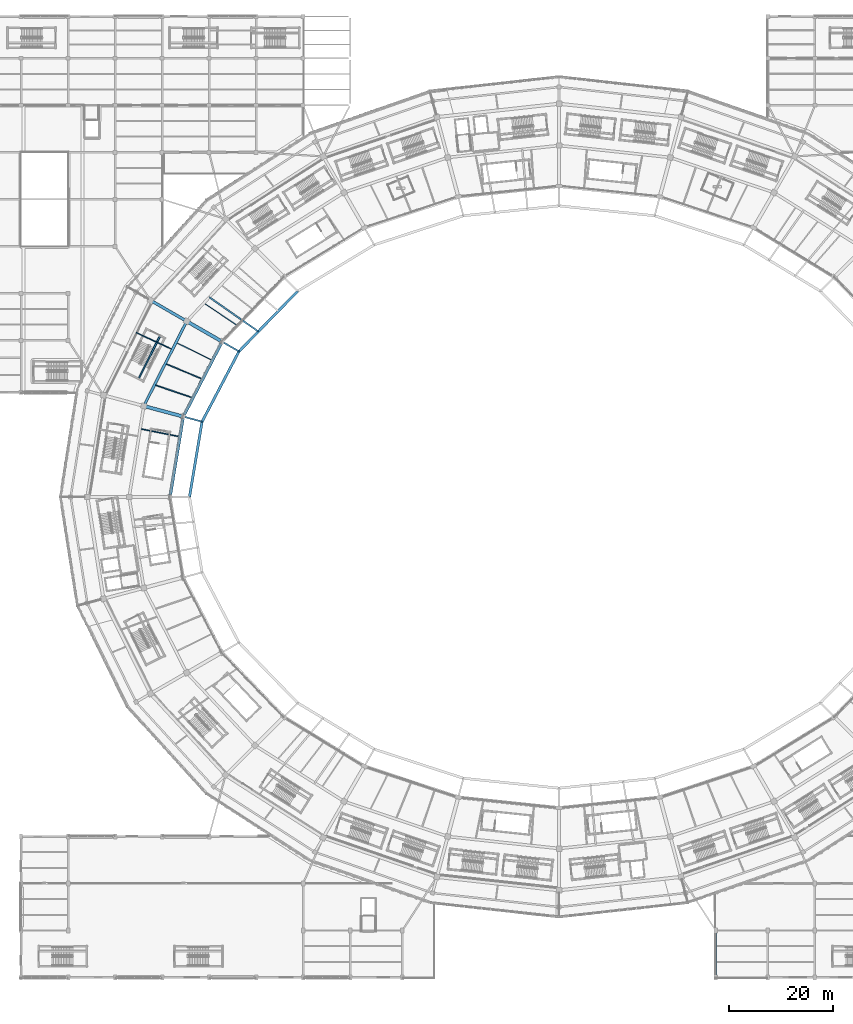
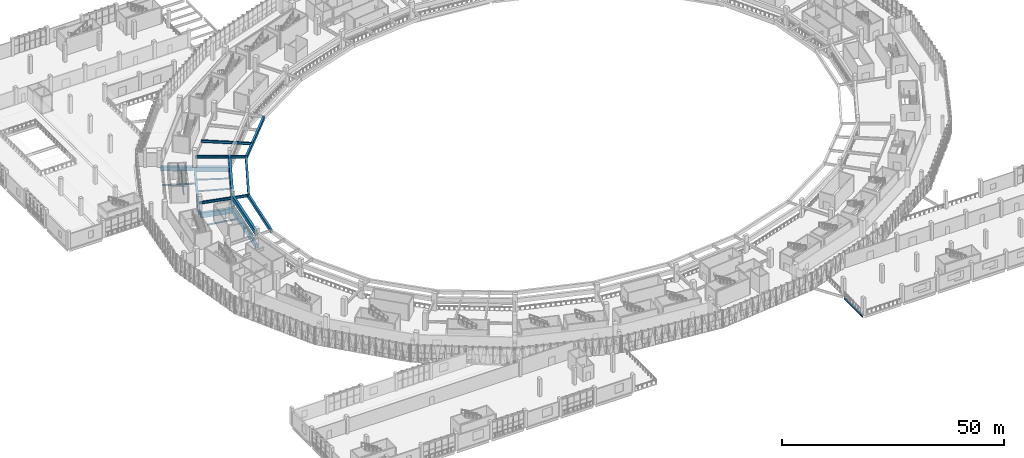
# One storey, part 25 of 179: 22 beams.
"""IFC4 building model written with IfcOpenShell, lengths in metres."""

from ifc_helpers import new_model, si_unit, direction, frame, origin, origin_2d, place, context, subcontext, project, spatial, rectangle, i_section, extrude, material, material_profile, profile_set, type_object, element, save


model = new_model("IFC4")

# Units and contexts
model_context = context("Model", 3, precision=1e-05, world=origin(), true_north=direction((0.0, 1.0)))
body_context = subcontext(model_context, "Body", "Model", "MODEL_VIEW")
ifc_project = project(units=[si_unit("LENGTHUNIT", "METRE"), si_unit("AREAUNIT", "SQUARE_METRE"), si_unit("VOLUMEUNIT", "CUBIC_METRE"), si_unit("PLANEANGLEUNIT", "RADIAN"), si_unit("MASSUNIT", "GRAM", prefix="KILO")], contexts=[model_context])

# Site, building, storey
site_placement = place(None, origin())
site = spatial("IfcSite", under=ifc_project, at=site_placement, CompositionType="ELEMENT")
building_placement = place(site_placement, origin())
building = spatial("IfcBuilding", under=site, at=building_placement, Name="Zevraka Park Crest Stadium", CompositionType="ELEMENT")
storey_placement = place(building_placement, frame((0.0, 0.0, 10.199951171875)))
storey = spatial("IfcBuildingStorey", under=building, at=storey_placement, Name="L02", CompositionType="ELEMENT", Elevation=10.199951171875)

# Beams
ifc_material_1 = material(Name="Concrete C40/50", Category="concrete")
ifc_material_profile_1 = material_profile(ifc_material_1, rectangle(XDim=0.64990234375, YDim=1.35009765625, at=origin_2d()), Name="RC 1350x650")
ifc_profile_set_1 = profile_set([ifc_material_profile_1], Name="Concrete C40/50")
beam_type_1 = type_object("IfcBeamType", Name="BG01", PredefinedType="BEAM", material=ifc_profile_set_1)
beam_1_placement = place(storey_placement, frame((47.220947265625, 121.89990234375, -0.68505859375), z_axis=(-0.866001485781, 0.500041424909, 0.0), x_axis=(-0.500041424909, -0.866001485781, 0.0)))
element("IfcBeam", 1, at=beam_1_placement, inside=storey, type_object=beam_type_1, Name="Radial Girder BG01 L02-BC-10", PredefinedType="BEAM", context=body_context, shape_type="SweptSolid", body=[
    extrude(rectangle(XDim=0.64990234375, YDim=1.35009765625, at=origin_2d()), origin(), (0.0, 0.0, 1.0), 7.19970703125),
])
beam_2_placement = place(storey_placement, frame((39.7490234375, 107.47802734375, -0.68505859375), z_axis=(-0.965945630245, 0.258745124417, 0.0), x_axis=(-0.258745124417, -0.965945630245, 0.0)))
element("IfcBeam", 2, at=beam_2_placement, inside=storey, type_object=beam_type_1, Name="Radial Girder BG01 L02-BC-11", PredefinedType="BEAM", context=body_context, shape_type="SweptSolid", body=[
    extrude(rectangle(XDim=0.64990234375, YDim=1.35009765625, at=origin_2d()), origin(), (0.0, 0.0, 1.0), 7.2001953125),
])
ifc_material_2 = material(Name="Concrete C40/50", Category="concrete")
ifc_material_profile_2 = material_profile(ifc_material_2, rectangle(XDim=0.550048828125, YDim=1.10009765625, at=origin_2d()), Name="RC 1100x550")
ifc_profile_set_2 = profile_set([ifc_material_profile_2], Name="Concrete C40/50")
beam_type_2 = type_object("IfcBeamType", Name="BG02", PredefinedType="BEAM", material=ifc_profile_set_2)
beam_3_placement = place(storey_placement, frame((40.466064453125, 125.800048828125, -0.56005859375), z_axis=(-0.86600700885, 0.500031859608, 0.0), x_axis=(-0.500031859608, -0.86600700885, 0.0)))
element("IfcBeam", 3, at=beam_3_placement, inside=storey, type_object=beam_type_2, Name="Radial Girder BG02 L02-CD-10", PredefinedType="BEAM", context=body_context, shape_type="SweptSolid", body=[
    extrude(rectangle(XDim=0.550048828125, YDim=1.10009765625, at=origin_2d()), origin(), (0.0, 0.0, 1.0), 7.3994140625),
])
ifc_material_3 = material(Name="Steel S355", Category="steel")
ifc_material_profile_3 = material_profile(ifc_material_3, i_section(OverallWidth=0.300048828125, OverallDepth=0.699951171875, WebThickness=0.01708984375, FlangeThickness=0.031982421875, at=origin_2d()), Name="HEB 700")
ifc_profile_set_3 = profile_set([ifc_material_profile_3], Name="Steel S355")
beam_type_3 = type_object("IfcBeamType", Name="BG06", PredefinedType="BEAM", material=ifc_profile_set_3)
beam_4_placement = place(storey_placement, frame((45.0419921875, 130.25, 2.670166015625), z_axis=(0.819761877341, -0.572704517581, 0.0), x_axis=(0.572704517581, 0.819761877341, 0.0)))
element("IfcBeam", 4, at=beam_4_placement, inside=storey, type_object=beam_type_3, Name="Upper Tier Vomitory Cantilever Girder BG06 09-V2", PredefinedType="BEAM", context=body_context, shape_type="SweptSolid", body=[
    extrude(i_section(OverallWidth=0.300048828125, OverallDepth=0.699951171875, WebThickness=0.01708984375, FlangeThickness=0.031982421875, at=origin_2d()), origin(), (0.0, 0.0, 1.0), 11.463134765625),
])
beam_5_placement = place(storey_placement, frame((40.72607421875, 125.64990234375, 2.670166015625), z_axis=(0.866036343161, -0.499981051965, 0.0), x_axis=(0.499981051965, 0.866036343161, 0.0)))
element("IfcBeam", 5, at=beam_5_placement, inside=storey, type_object=beam_type_3, Name="Upper Tier Back-Spanned Cantilever Girder BG06 10", PredefinedType="BEAM", context=body_context, shape_type="SweptSolid", body=[
    extrude(i_section(OverallWidth=0.300048828125, OverallDepth=0.699951171875, WebThickness=0.01708984375, FlangeThickness=0.031982421875, at=origin_2d()), origin(), (0.0, 0.0, 1.0), 11.55029296875),
])
beam_6_placement = place(storey_placement, frame((32.50390625, 109.4189453125, 2.670166015625), z_axis=(0.965915310866, -0.258858286006, 0.0), x_axis=(0.258858286006, 0.965915310866, 0.0)))
element("IfcBeam", 6, at=beam_6_placement, inside=storey, type_object=beam_type_3, Name="Upper Tier Back-Spanned Cantilever Girder BG06 11", PredefinedType="BEAM", context=body_context, shape_type="SweptSolid", body=[
    extrude(i_section(OverallWidth=0.300048828125, OverallDepth=0.699951171875, WebThickness=0.01708984375, FlangeThickness=0.031982421875, at=origin_2d()), origin(), (0.0, 0.0, 1.0), 11.55078125),
])
ifc_material_4 = material(Name="Steel S355", Category="steel")
ifc_material_profile_4 = material_profile(ifc_material_4, i_section(OverallWidth=0.300048828125, OverallDepth=0.64990234375, WebThickness=0.01611328125, FlangeThickness=0.031005859375, at=origin_2d()), Name="HEB 650")
ifc_profile_set_4 = profile_set([ifc_material_profile_4], Name="Steel S355")
beam_type_4 = type_object("IfcBeamType", Name="BG07", PredefinedType="BEAM", material=ifc_profile_set_4)
beam_7_placement = place(storey_placement, frame((142.0, 0.300048828125, -0.613037109375), z_axis=(0.0, 1.0, 0.0), x_axis=(-1.0, 0.0, 0.0)))
element("IfcBeam", 7, at=beam_7_placement, inside=storey, type_object=beam_type_4, Name="Wing Girder BG07 L02-16/AB", PredefinedType="BEAM", context=body_context, shape_type="SweptSolid", body=[
    extrude(i_section(OverallWidth=0.300048828125, OverallDepth=0.64990234375, WebThickness=0.01611328125, FlangeThickness=0.031005859375, at=origin_2d()), origin(), (0.0, 0.0, 1.0), 8.39990234375),
])
ifc_material_5 = material(Name="Concrete C40/50", Category="concrete")
ifc_material_profile_5 = material_profile(ifc_material_5, rectangle(XDim=0.60009765625, YDim=1.199951171875, at=origin_2d()), Name="RC 1200x600")
ifc_profile_set_5 = profile_set([ifc_material_profile_5], Name="Concrete C40/50")
beam_type_5 = type_object("IfcBeamType", Name="RB01", PredefinedType="BEAM", material=ifc_profile_set_5)
beam_8_placement = place(storey_placement, frame((47.305908203125, 121.4130859375, -0.60986328125), z_axis=(-0.460343993973, -0.887740619333, 0.0), x_axis=(0.887740619333, -0.460343993973, 0.0)))
element("IfcBeam", 8, at=beam_8_placement, inside=storey, type_object=beam_type_5, Name="Ring Beam RB01 L02-B-10", PredefinedType="BEAM", context=body_context, shape_type="SweptSolid", body=[
    extrude(rectangle(XDim=0.60009765625, YDim=1.199951171875, at=origin_2d()), origin(), (0.0, 0.0, 1.0), 15.405517578125),
])
beam_9_placement = place(storey_placement, frame((39.97705078125, 107.02490234375, -0.60986328125), z_axis=(-0.162654875862, -0.986683024764, 0.0), x_axis=(0.986683024764, -0.162654875862, 0.0)))
element("IfcBeam", 9, at=beam_9_placement, inside=storey, type_object=beam_type_5, Name="Ring Beam RB01 L02-B-11", PredefinedType="BEAM", context=body_context, shape_type="SweptSolid", body=[
    extrude(rectangle(XDim=0.60009765625, YDim=1.199951171875, at=origin_2d()), origin(), (0.0, 0.0, 1.0), 14.84765625),
])
beam_10_placement = place(storey_placement, frame((47.2880859375, 121.376953125, 2.965087890625), z_axis=(-0.460431552282, -0.887695209891, 0.0), x_axis=(0.887695209891, -0.460431552282, 0.0)))
element("IfcBeam", 10, at=beam_10_placement, inside=storey, type_object=beam_type_5, Name="Upper Tier Fulcrum Raker Ring Beam RB01 10", PredefinedType="BEAM", context=body_context, shape_type="SweptSolid", body=[
    extrude(rectangle(XDim=0.60009765625, YDim=1.199951171875, at=origin_2d()), origin(), (0.0, 0.0, 1.0), 15.3251953125),
])
beam_11_placement = place(storey_placement, frame((39.970947265625, 106.986083984375, 2.965087890625), z_axis=(-0.162696512919, -0.986676159986, 0.0), x_axis=(0.986676159986, -0.162696512919, 0.0)))
element("IfcBeam", 11, at=beam_11_placement, inside=storey, type_object=beam_type_5, Name="Upper Tier Fulcrum Raker Ring Beam RB01 11", PredefinedType="BEAM", context=body_context, shape_type="SweptSolid", body=[
    extrude(rectangle(XDim=0.60009765625, YDim=1.199951171875, at=origin_2d()), origin(), (0.0, 0.0, 1.0), 14.768798828125),
])
ifc_material_6 = material(Name="Concrete C40/50", Category="concrete")
ifc_material_profile_6 = material_profile(ifc_material_6, rectangle(XDim=0.5, YDim=0.949951171875, at=origin_2d()), Name="RC 950x500")
ifc_profile_set_6 = profile_set([ifc_material_profile_6], Name="Concrete C40/50")
beam_type_6 = type_object("IfcBeamType", Name="RB02", PredefinedType="BEAM", material=ifc_profile_set_6)
beam_12_placement = place(storey_placement, frame((40.553955078125, 125.31103515625, -0.48486328125), z_axis=(-0.451862275442, -0.892087710953, 0.0), x_axis=(0.892087710953, -0.451862275442, 0.0)))
element("IfcBeam", 12, at=beam_12_placement, inside=storey, type_object=beam_type_6, Name="Ring Beam RB02 L02-C-10", PredefinedType="BEAM", context=body_context, shape_type="SweptSolid", body=[
    extrude(rectangle(XDim=0.5, YDim=0.949951171875, at=origin_2d()), origin(), (0.0, 0.0, 1.0), 17.434326171875),
])
beam_13_placement = place(storey_placement, frame((61.965087890625, 131.4140625, 2.400146484375), z_axis=(-0.697632460191, -0.716455825915, 0.0), x_axis=(0.716455825915, -0.697632460191, 0.0)))
element("IfcBeam", 13, at=beam_13_placement, inside=storey, type_object=beam_type_6, Name="Upper Tier Front Nose Ring Beam RB02 09", PredefinedType="BEAM", context=body_context, shape_type="SweptSolid", body=[
    extrude(rectangle(XDim=0.5, YDim=0.949951171875, at=origin_2d()), origin(), (0.0, 0.0, 1.0), 16.095947265625),
])
beam_14_placement = place(storey_placement, frame((50.72412109375, 119.865966796875, 2.400146484375), z_axis=(-0.465268790647, -0.885169448439, 0.0), x_axis=(0.885169448439, -0.465268790647, 0.0)))
element("IfcBeam", 14, at=beam_14_placement, inside=storey, type_object=beam_type_6, Name="Upper Tier Front Nose Ring Beam RB02 10", PredefinedType="BEAM", context=body_context, shape_type="SweptSolid", body=[
    extrude(rectangle(XDim=0.5, YDim=0.949951171875, at=origin_2d()), origin(), (0.0, 0.0, 1.0), 15.169921875),
])
beam_15_placement = place(storey_placement, frame((43.658935546875, 106.4189453125, 2.400146484375), z_axis=(-0.164764836021, -0.986332879312, 0.0), x_axis=(0.986332879312, -0.164764836021, 0.0)))
element("IfcBeam", 15, at=beam_15_placement, inside=storey, type_object=beam_type_6, Name="Upper Tier Front Nose Ring Beam RB02 11", PredefinedType="BEAM", context=body_context, shape_type="SweptSolid", body=[
    extrude(rectangle(XDim=0.5, YDim=0.949951171875, at=origin_2d()), origin(), (0.0, 0.0, 1.0), 14.608642578125),
])
ifc_material_7 = material(Name="Steel S355", Category="steel")
ifc_material_profile_7 = material_profile(ifc_material_7, i_section(OverallWidth=0.159912109375, OverallDepth=0.330078125, WebThickness=0.007568359375, FlangeThickness=0.011474609375, at=origin_2d()), Name="IPE 330")
ifc_profile_set_7 = profile_set([ifc_material_profile_7], Name="Steel S355")
beam_type_7 = type_object("IfcBeamType", Name="SJ08", PredefinedType="JOIST", material=ifc_profile_set_7)
beam_16_placement = place(storey_placement, frame((37.762939453125, 120.343017578125, -0.452880859375), z_axis=(-0.906183982971, 0.42288365895, 0.0), x_axis=(-0.42288365895, -0.906183982971, 0.0)))
element("IfcBeam", 16, at=beam_16_placement, inside=storey, type_object=beam_type_7, Name="Floor Joist SJ08 L02-CD-10-1", PredefinedType="JOIST", context=body_context, shape_type="SweptSolid", body=[
    extrude(i_section(OverallWidth=0.159912109375, OverallDepth=0.330078125, WebThickness=0.007568359375, FlangeThickness=0.011474609375, at=origin_2d()), origin(), (0.0, 0.0, 1.0), 7.39892578125),
])
ifc_material_8 = material(Name="Steel S355", Category="steel")
ifc_material_profile_8 = material_profile(ifc_material_8, i_section(OverallWidth=0.179931640625, OverallDepth=0.39990234375, WebThickness=0.008544921875, FlangeThickness=0.013427734375, at=origin_2d()), Name="IPE 400")
ifc_profile_set_8 = profile_set([ifc_material_profile_8], Name="Steel S355")
beam_type_8 = type_object("IfcBeamType", Name="SJ09", PredefinedType="JOIST", material=ifc_profile_set_8)
beam_17_placement = place(storey_placement, frame((50.178955078125, 125.006103515625, -0.488037109375), z_axis=(-0.831668706104, 0.55527215245, 0.0), x_axis=(-0.55527215245, -0.831668706104, 0.0)))
element("IfcBeam", 17, at=beam_17_placement, inside=storey, type_object=beam_type_8, Name="Floor Joist SJ09 L02-BC-09-3", PredefinedType="JOIST", context=body_context, shape_type="SweptSolid", body=[
    extrude(i_section(OverallWidth=0.179931640625, OverallDepth=0.39990234375, WebThickness=0.008544921875, FlangeThickness=0.013427734375, at=origin_2d()), origin(), (0.0, 0.0, 1.0), 7.189208984375),
])
beam_18_placement = place(storey_placement, frame((45.337890625, 118.302001953125, -0.488037109375), z_axis=(-0.89675774001, 0.442521813849, 0.0), x_axis=(-0.442521813849, -0.89675774001, 0.0)))
element("IfcBeam", 18, at=beam_18_placement, inside=storey, type_object=beam_type_8, Name="Floor Joist SJ09 L02-BC-10-1", PredefinedType="JOIST", context=body_context, shape_type="SweptSolid", body=[
    extrude(i_section(OverallWidth=0.179931640625, OverallDepth=0.39990234375, WebThickness=0.008544921875, FlangeThickness=0.013427734375, at=origin_2d()), origin(), (0.0, 0.0, 1.0), 7.1904296875),
])
beam_19_placement = place(storey_placement, frame((43.468994140625, 114.696044921875, -0.488037109375), z_axis=(-0.923904434651, 0.382623307749, 0.0), x_axis=(-0.382623307749, -0.923904434651, 0.0)))
element("IfcBeam", 19, at=beam_19_placement, inside=storey, type_object=beam_type_8, Name="Floor Joist SJ09 L02-BC-10-2", PredefinedType="JOIST", context=body_context, shape_type="SweptSolid", body=[
    extrude(i_section(OverallWidth=0.179931640625, OverallDepth=0.39990234375, WebThickness=0.008544921875, FlangeThickness=0.013427734375, at=origin_2d()), origin(), (0.0, 0.0, 1.0), 7.173828125),
])
beam_20_placement = place(storey_placement, frame((41.60107421875, 111.089111328125, -0.488037109375), z_axis=(-0.947037352852, 0.321123422227, 0.0), x_axis=(-0.321123422227, -0.947037352852, 0.0)))
element("IfcBeam", 20, at=beam_20_placement, inside=storey, type_object=beam_type_8, Name="Floor Joist SJ09 L02-BC-10-3", PredefinedType="JOIST", context=body_context, shape_type="SweptSolid", body=[
    extrude(i_section(OverallWidth=0.179931640625, OverallDepth=0.39990234375, WebThickness=0.008544921875, FlangeThickness=0.013427734375, at=origin_2d()), origin(), (0.0, 0.0, 1.0), 7.18994140625),
])
beam_21_placement = place(storey_placement, frame((39.094970703125, 103.612060546875, -0.488037109375), z_axis=(-0.98075007635, 0.195267221364, 0.0), x_axis=(-0.195267221364, -0.98075007635, 0.0)))
element("IfcBeam", 21, at=beam_21_placement, inside=storey, type_object=beam_type_8, Name="Floor Joist SJ09 L02-BC-11-1", PredefinedType="JOIST", context=body_context, shape_type="SweptSolid", body=[
    extrude(i_section(OverallWidth=0.179931640625, OverallDepth=0.39990234375, WebThickness=0.008544921875, FlangeThickness=0.013427734375, at=origin_2d()), origin(), (0.0, 0.0, 1.0), 7.1904296875),
])
ifc_material_9 = material(Name="Concrete C40/50", Category="concrete")
ifc_material_profile_9 = material_profile(ifc_material_9, rectangle(XDim=0.280029296875, YDim=0.199951171875, at=origin_2d()), Name="RC 200x280")
ifc_profile_set_9 = profile_set([ifc_material_profile_9], Name="Concrete C40/50")
beam_type_9 = type_object("IfcBeamType", Name="SJ13", PredefinedType="JOIST", material=ifc_profile_set_9)
beam_22_placement = place(storey_placement, frame((35.624755859375, 122.8623046875, 2.300048828125), z_axis=(-0.447910267746, -0.894078515594, 0.0), x_axis=(0.894078515594, -0.447910267746, 0.0)))
element("IfcBeam", 22, at=beam_22_placement, inside=storey, type_object=beam_type_9, Name="Stair Upper-Flight Longitudinal Stringer SJ13 ST11-L02", PredefinedType="JOIST", context=body_context, shape_type="SweptSolid", body=[
    extrude(rectangle(XDim=0.280029296875, YDim=0.199951171875, at=origin_2d()), origin(), (0.0, 0.0, 1.0), 9.249755859375),
])

save(model, "model.ifc")
